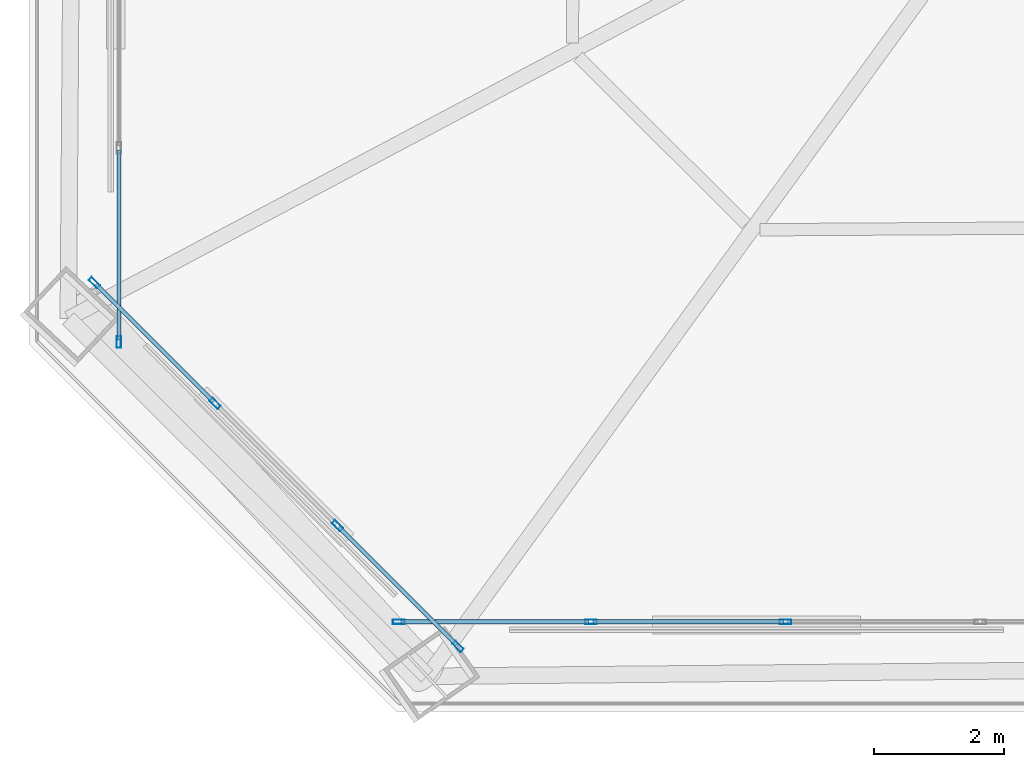
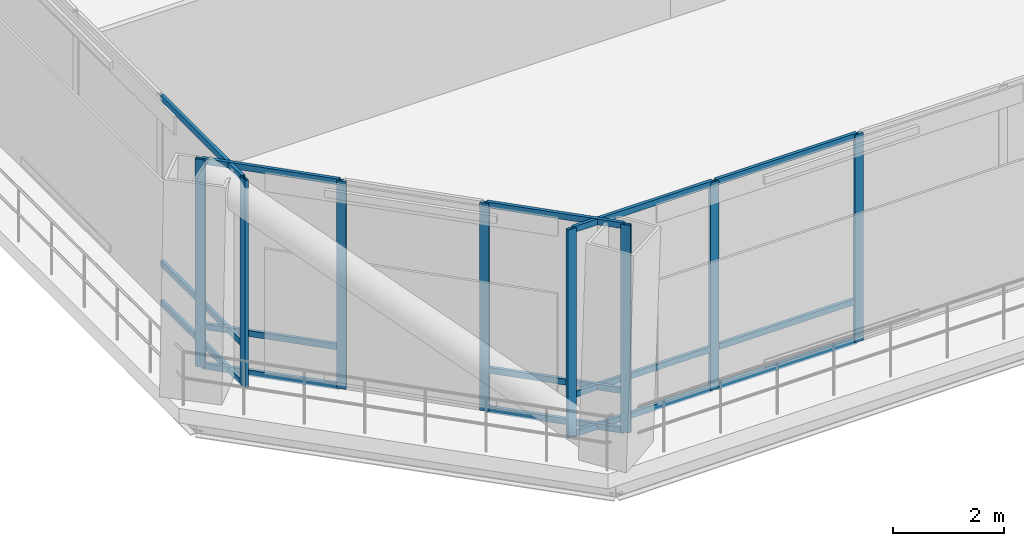
# One storey, part 2 of 48: 23 members, 3 elements without a shape of their own.
"""IFC4 building model written with IfcOpenShell, lengths in metres."""

from ifc_helpers import new_model, si_unit, direction, frame, origin, origin_2d, place, context, subcontext, project, spatial, hollow_rectangle, extrude, material, layer, layer_set, material_profile, profile_set, type_object, element, aggregate, save


model = new_model("IFC4")

# Units and contexts
model_context = context("Model", 3, precision=1e-05, world=origin(), true_north=direction((0.0, 1.0)))
body_context = subcontext(model_context, "Body", "Model", "MODEL_VIEW")
ifc_project = project(units=[si_unit("LENGTHUNIT", "METRE"), si_unit("AREAUNIT", "SQUARE_METRE"), si_unit("VOLUMEUNIT", "CUBIC_METRE"), si_unit("PLANEANGLEUNIT", "RADIAN"), si_unit("MASSUNIT", "GRAM", prefix="KILO")], contexts=[model_context])

# Site, building, storey
site_placement = place(None, origin())
site = spatial("IfcSite", under=ifc_project, at=site_placement, CompositionType="ELEMENT")
building_placement = place(site_placement, origin())
building = spatial("IfcBuilding", under=site, at=building_placement, Name="Caelvoria Tower", CompositionType="ELEMENT")
storey_placement = place(building_placement, frame((0.0, 0.0, 90.39990234375)))
storey = spatial("IfcBuildingStorey", under=building, at=storey_placement, Name="L23", CompositionType="ELEMENT", Elevation=90.39990234375)

# Curtain wall, members
ifc_material_1 = material(Name="Anodised Bronze Aluminium and Low-E Glass", Category="aluminium")
ifc_layer = layer(ifc_material_1, 0.2099609375, Name="Anodised Bronze Aluminium and Low-E Glass")
ifc_layer_set = layer_set([ifc_layer], Name="CW System 3 Sky Lobby Double-Height Acoustic Facade - Anodised Bronze Aluminium and Low-E Glass")
curtain_wall_type = type_object("IfcCurtainWallType", Name="CW System 3 Sky Lobby Double-Height Acoustic Facade", PredefinedType="NOTDEFINED", material=ifc_layer_set)
curtain_wall_1_placement = place(storey_placement, origin())
curtain_wall_1 = element("IfcCurtainWall", 1, at=curtain_wall_1_placement, inside=storey, type_object=curtain_wall_type, Name="CW-03 Curtain Wall L23-E0", PredefinedType="NOTDEFINED")
ifc_material_2 = material(Name="Anodised Bronze Architectural Aluminium", Category="aluminium")
ifc_material_profile_1 = material_profile(ifc_material_2, hollow_rectangle(XDim=0.070068359375, YDim=0.179931640625, WallThickness=0.00390625, at=origin_2d()), Name="Anodised Bronze Architectural Aluminium")
ifc_profile_set_1 = profile_set([ifc_material_profile_1], Name="CW_MULL_70X180 - Anodised Bronze Architectural Aluminium")
member_type_1 = type_object("IfcMemberType", Name="Curtain Wall Mullion 70x180 Bronze Aluminium", PredefinedType="MULLION", material=ifc_profile_set_1)
member_1_placement = place(storey_placement, frame((26.568359375, 11.0966796875, 0.0), z_axis=(0.0, 0.0, 1.0), x_axis=(0.0, 1.0, 0.0)))
member_1 = element("IfcMember", 2, at=member_1_placement, type_object=member_type_1, Name="CW-03 mullion 1", PredefinedType="MULLION", context=body_context, shape_type="SweptSolid", body=[
    extrude(hollow_rectangle(XDim=0.070068359375, YDim=0.179931640625, WallThickness=0.00390625, at=origin_2d()), origin(), (0.0, 0.0, 1.0), 4.56005859375),
])
member_2_placement = place(storey_placement, frame((29.528076171875, 11.0966796875, 0.0), z_axis=(0.0, 0.0, 1.0), x_axis=(0.0, 1.0, 0.0)))
member_2 = element("IfcMember", 3, at=member_2_placement, type_object=member_type_1, Name="CW-03 mullion 2", PredefinedType="MULLION", context=body_context, shape_type="SweptSolid", body=[
    extrude(hollow_rectangle(XDim=0.070068359375, YDim=0.179931640625, WallThickness=0.00390625, at=origin_2d()), origin(), (0.0, 0.0, 1.0), 4.56005859375),
])
member_3_placement = place(storey_placement, frame((32.52294921875, 11.0966796875, 0.0), z_axis=(0.0, 0.0, 1.0), x_axis=(0.0, 1.0, 0.0)))
member_3 = element("IfcMember", 4, at=member_3_placement, type_object=member_type_1, Name="CW-03 mullion 3", PredefinedType="MULLION", context=body_context, shape_type="SweptSolid", body=[
    extrude(hollow_rectangle(XDim=0.070068359375, YDim=0.179931640625, WallThickness=0.00390625, at=origin_2d()), origin(), (0.0, 0.0, 1.0), 4.56005859375),
])

# Curtain wall, member
curtain_wall_2_placement = place(storey_placement, origin())
curtain_wall_2 = element("IfcCurtainWall", 5, at=curtain_wall_2_placement, inside=storey, type_object=curtain_wall_type, Name="CW-03 Curtain Wall L23-E6", PredefinedType="NOTDEFINED")
member_4_placement = place(storey_placement, frame((22.26318359375, 15.401611328125, 0.0), z_axis=(0.0, 0.0, 1.0), x_axis=(1.0, 0.0, 0.0)))
member_4 = element("IfcMember", 6, at=member_4_placement, type_object=member_type_1, Name="CW-03 mullion 12", PredefinedType="MULLION", context=body_context, shape_type="SweptSolid", body=[
    extrude(hollow_rectangle(XDim=0.070068359375, YDim=0.179931640625, WallThickness=0.00390625, at=origin_2d()), origin(), (0.0, 0.0, 1.0), 4.56005859375),
])

# Curtain wall, members
curtain_wall_3_placement = place(storey_placement, origin())
curtain_wall_3 = element("IfcCurtainWall", 7, at=curtain_wall_3_placement, inside=storey, type_object=curtain_wall_type, Name="CW-03 Curtain Wall L23-E7", PredefinedType="NOTDEFINED")
member_5_placement = place(storey_placement, frame((21.8837890625, 16.31787109375, 0.0), z_axis=(0.0, 0.0, 1.0), x_axis=(0.707106781187, 0.707106781187, 0.0)))
member_5 = element("IfcMember", 8, at=member_5_placement, type_object=member_type_1, Name="CW-03 mullion 1", PredefinedType="MULLION", context=body_context, shape_type="SweptSolid", body=[
    extrude(hollow_rectangle(XDim=0.070068359375, YDim=0.179931640625, WallThickness=0.00390625, at=origin_2d()), origin(), (0.0, 0.0, 1.0), 4.56005859375),
])
member_6_placement = place(storey_placement, frame((23.742431640625, 14.459228515625, 0.0), z_axis=(0.0, 0.0, 1.0), x_axis=(0.707106781187, 0.707106781187, 0.0)))
member_6 = element("IfcMember", 9, at=member_6_placement, type_object=member_type_1, Name="CW-03 mullion 2", PredefinedType="MULLION", context=body_context, shape_type="SweptSolid", body=[
    extrude(hollow_rectangle(XDim=0.070068359375, YDim=0.179931640625, WallThickness=0.00390625, at=origin_2d()), origin(), (0.0, 0.0, 1.0), 4.56005859375),
])
member_7_placement = place(storey_placement, frame((25.625732421875, 12.575927734375, 0.0), z_axis=(0.0, 0.0, 1.0), x_axis=(0.707106781187, 0.707106781187, 0.0)))
member_7 = element("IfcMember", 10, at=member_7_placement, type_object=member_type_1, Name="CW-03 mullion 3", PredefinedType="MULLION", context=body_context, shape_type="SweptSolid", body=[
    extrude(hollow_rectangle(XDim=0.070068359375, YDim=0.179931640625, WallThickness=0.00390625, at=origin_2d()), origin(), (0.0, 0.0, 1.0), 4.56005859375),
])
member_8_placement = place(storey_placement, frame((27.484375, 10.71728515625, 0.0), z_axis=(0.0, 0.0, 1.0), x_axis=(0.707106781187, 0.707106781187, 0.0)))
member_8 = element("IfcMember", 11, at=member_8_placement, type_object=member_type_1, Name="CW-03 mullion 4", PredefinedType="MULLION", context=body_context, shape_type="SweptSolid", body=[
    extrude(hollow_rectangle(XDim=0.070068359375, YDim=0.179931640625, WallThickness=0.00390625, at=origin_2d()), origin(), (0.0, 0.0, 1.0), 4.56005859375),
])

# Member
ifc_material_profile_2 = material_profile(ifc_material_2, hollow_rectangle(XDim=0.06494140625, YDim=0.1298828125, WallThickness=0.00341796875, at=origin_2d()), Name="Anodised Bronze Architectural Aluminium")
ifc_profile_set_2 = profile_set([ifc_material_profile_2], Name="CW_TRAN_65X130 - Anodised Bronze Architectural Aluminium")
member_type_2 = type_object("IfcMemberType", Name="Curtain Wall Transom 65x130 Bronze Aluminium", PredefinedType="USERDEFINED", material=ifc_profile_set_2)
member_9_placement = place(storey_placement, frame((26.603271484375, 11.0966796875, 0.03271484375), z_axis=(1.0, 0.0, 0.0), x_axis=(0.0, 1.0, 0.0)))
member_9 = element("IfcMember", 12, at=member_9_placement, type_object=member_type_2, Name="CW-03 transom 1.1", ObjectType="TRANSOM", PredefinedType="USERDEFINED", context=body_context, shape_type="SweptSolid", body=[
    extrude(hollow_rectangle(XDim=0.06494140625, YDim=0.1298828125, WallThickness=0.00341796875, at=origin_2d()), origin(), (0.0, 0.0, 1.0), 2.889892578125),
])

member_10_placement = place(storey_placement, frame((26.603271484375, 11.0966796875, 0.900146484375), z_axis=(1.0, 0.0, 0.0), x_axis=(0.0, 1.0, 0.0)))
member_10 = element("IfcMember", 13, at=member_10_placement, type_object=member_type_2, Name="CW-03 transom 1.2", ObjectType="TRANSOM", PredefinedType="USERDEFINED", context=body_context, shape_type="SweptSolid", body=[
    extrude(hollow_rectangle(XDim=0.06494140625, YDim=0.1298828125, WallThickness=0.00341796875, at=origin_2d()), origin(), (0.0, 0.0, 1.0), 2.889892578125),
])

member_11_placement = place(storey_placement, frame((26.603271484375, 11.0966796875, 4.527587890625), z_axis=(1.0, 0.0, 0.0), x_axis=(0.0, 1.0, 0.0)))
member_11 = element("IfcMember", 14, at=member_11_placement, type_object=member_type_2, Name="CW-03 transom 1.3", ObjectType="TRANSOM", PredefinedType="USERDEFINED", context=body_context, shape_type="SweptSolid", body=[
    extrude(hollow_rectangle(XDim=0.06494140625, YDim=0.1298828125, WallThickness=0.00341796875, at=origin_2d()), origin(), (0.0, 0.0, 1.0), 2.889892578125),
])

member_12_placement = place(storey_placement, frame((29.563232421875, 11.0966796875, 0.03271484375), z_axis=(1.0, 0.0, 0.0), x_axis=(0.0, 1.0, 0.0)))
member_12 = element("IfcMember", 15, at=member_12_placement, type_object=member_type_2, Name="CW-03 transom 2.1", ObjectType="TRANSOM", PredefinedType="USERDEFINED", context=body_context, shape_type="SweptSolid", body=[
    extrude(hollow_rectangle(XDim=0.06494140625, YDim=0.1298828125, WallThickness=0.00341796875, at=origin_2d()), origin(), (0.0, 0.0, 1.0), 2.9248046875),
])

member_13_placement = place(storey_placement, frame((29.563232421875, 11.0966796875, 0.900146484375), z_axis=(1.0, 0.0, 0.0), x_axis=(0.0, 1.0, 0.0)))
member_13 = element("IfcMember", 16, at=member_13_placement, type_object=member_type_2, Name="CW-03 transom 2.2", ObjectType="TRANSOM", PredefinedType="USERDEFINED", context=body_context, shape_type="SweptSolid", body=[
    extrude(hollow_rectangle(XDim=0.06494140625, YDim=0.1298828125, WallThickness=0.00341796875, at=origin_2d()), origin(), (0.0, 0.0, 1.0), 2.9248046875),
])

member_14_placement = place(storey_placement, frame((29.563232421875, 11.0966796875, 4.527587890625), z_axis=(1.0, 0.0, 0.0), x_axis=(0.0, 1.0, 0.0)))
member_14 = element("IfcMember", 17, at=member_14_placement, type_object=member_type_2, Name="CW-03 transom 2.3", ObjectType="TRANSOM", PredefinedType="USERDEFINED", context=body_context, shape_type="SweptSolid", body=[
    extrude(hollow_rectangle(XDim=0.06494140625, YDim=0.1298828125, WallThickness=0.00341796875, at=origin_2d()), origin(), (0.0, 0.0, 1.0), 2.9248046875),
])

aggregate(curtain_wall_1, [member_1, member_2, member_3, member_9, member_10, member_11, member_12, member_13, member_14])

member_15_placement = place(storey_placement, frame((22.26318359375, 18.35595703125, 0.03271484375), z_axis=(0.0, -1.0, 0.0), x_axis=(1.0, 0.0, 0.0)))
member_15 = element("IfcMember", 18, at=member_15_placement, type_object=member_type_2, Name="CW-03 transom 11.1", ObjectType="TRANSOM", PredefinedType="USERDEFINED", context=body_context, shape_type="SweptSolid", body=[
    extrude(hollow_rectangle(XDim=0.06494140625, YDim=0.1298828125, WallThickness=0.00341796875, at=origin_2d()), origin(), (0.0, 0.0, 1.0), 2.919189453125),
])

member_16_placement = place(storey_placement, frame((22.26318359375, 18.35595703125, 0.900146484375), z_axis=(0.0, -1.0, 0.0), x_axis=(1.0, 0.0, 0.0)))
member_16 = element("IfcMember", 19, at=member_16_placement, type_object=member_type_2, Name="CW-03 transom 11.2", ObjectType="TRANSOM", PredefinedType="USERDEFINED", context=body_context, shape_type="SweptSolid", body=[
    extrude(hollow_rectangle(XDim=0.06494140625, YDim=0.1298828125, WallThickness=0.00341796875, at=origin_2d()), origin(), (0.0, 0.0, 1.0), 2.919189453125),
])

member_17_placement = place(storey_placement, frame((22.26318359375, 18.35595703125, 4.527587890625), z_axis=(0.0, -1.0, 0.0), x_axis=(1.0, 0.0, 0.0)))
member_17 = element("IfcMember", 20, at=member_17_placement, type_object=member_type_2, Name="CW-03 transom 11.3", ObjectType="TRANSOM", PredefinedType="USERDEFINED", context=body_context, shape_type="SweptSolid", body=[
    extrude(hollow_rectangle(XDim=0.06494140625, YDim=0.1298828125, WallThickness=0.00341796875, at=origin_2d()), origin(), (0.0, 0.0, 1.0), 2.919189453125),
])

aggregate(curtain_wall_2, [member_4, member_15, member_16, member_17])

member_18_placement = place(storey_placement, frame((21.90869140625, 16.29296875, 0.03271484375), z_axis=(0.707106781187, -0.707106781187, 0.0), x_axis=(0.707106781187, 0.707106781187, 0.0)))
member_18 = element("IfcMember", 21, at=member_18_placement, type_object=member_type_2, Name="CW-03 transom 1.1", ObjectType="TRANSOM", PredefinedType="USERDEFINED", context=body_context, shape_type="SweptSolid", body=[
    extrude(hollow_rectangle(XDim=0.06494140625, YDim=0.1298828125, WallThickness=0.00341796875, at=origin_2d()), origin(), (0.0, 0.0, 1.0), 2.558349609375),
])

member_19_placement = place(storey_placement, frame((21.90869140625, 16.29296875, 0.900146484375), z_axis=(0.707106781187, -0.707106781187, 0.0), x_axis=(0.707106781187, 0.707106781187, 0.0)))
member_19 = element("IfcMember", 22, at=member_19_placement, type_object=member_type_2, Name="CW-03 transom 1.2", ObjectType="TRANSOM", PredefinedType="USERDEFINED", context=body_context, shape_type="SweptSolid", body=[
    extrude(hollow_rectangle(XDim=0.06494140625, YDim=0.1298828125, WallThickness=0.00341796875, at=origin_2d()), origin(), (0.0, 0.0, 1.0), 2.558349609375),
])

member_20_placement = place(storey_placement, frame((21.90869140625, 16.29296875, 4.527587890625), z_axis=(0.707106781187, -0.707106781187, 0.0), x_axis=(0.707106781187, 0.707106781187, 0.0)))
member_20 = element("IfcMember", 23, at=member_20_placement, type_object=member_type_2, Name="CW-03 transom 1.3", ObjectType="TRANSOM", PredefinedType="USERDEFINED", context=body_context, shape_type="SweptSolid", body=[
    extrude(hollow_rectangle(XDim=0.06494140625, YDim=0.1298828125, WallThickness=0.00341796875, at=origin_2d()), origin(), (0.0, 0.0, 1.0), 2.558349609375),
])

member_21_placement = place(storey_placement, frame((25.650634765625, 12.551025390625, 0.03271484375), z_axis=(0.707106781187, -0.707106781187, 0.0), x_axis=(0.707106781187, 0.707106781187, 0.0)))
member_21 = element("IfcMember", 24, at=member_21_placement, type_object=member_type_2, Name="CW-03 transom 3.1", ObjectType="TRANSOM", PredefinedType="USERDEFINED", context=body_context, shape_type="SweptSolid", body=[
    extrude(hollow_rectangle(XDim=0.06494140625, YDim=0.1298828125, WallThickness=0.00341796875, at=origin_2d()), origin(), (0.0, 0.0, 1.0), 2.558349609375),
])

member_22_placement = place(storey_placement, frame((25.650634765625, 12.551025390625, 0.900146484375), z_axis=(0.707106781187, -0.707106781187, 0.0), x_axis=(0.707106781187, 0.707106781187, 0.0)))
member_22 = element("IfcMember", 25, at=member_22_placement, type_object=member_type_2, Name="CW-03 transom 3.2", ObjectType="TRANSOM", PredefinedType="USERDEFINED", context=body_context, shape_type="SweptSolid", body=[
    extrude(hollow_rectangle(XDim=0.06494140625, YDim=0.1298828125, WallThickness=0.00341796875, at=origin_2d()), origin(), (0.0, 0.0, 1.0), 2.558349609375),
])

member_23_placement = place(storey_placement, frame((25.650634765625, 12.551025390625, 4.527587890625), z_axis=(0.707106781187, -0.707106781187, 0.0), x_axis=(0.707106781187, 0.707106781187, 0.0)))
member_23 = element("IfcMember", 26, at=member_23_placement, type_object=member_type_2, Name="CW-03 transom 3.3", ObjectType="TRANSOM", PredefinedType="USERDEFINED", context=body_context, shape_type="SweptSolid", body=[
    extrude(hollow_rectangle(XDim=0.06494140625, YDim=0.1298828125, WallThickness=0.00341796875, at=origin_2d()), origin(), (0.0, 0.0, 1.0), 2.558349609375),
])

aggregate(curtain_wall_3, [member_5, member_6, member_7, member_8, member_18, member_19, member_20, member_21, member_22, member_23])

save(model, "model.ifc")
